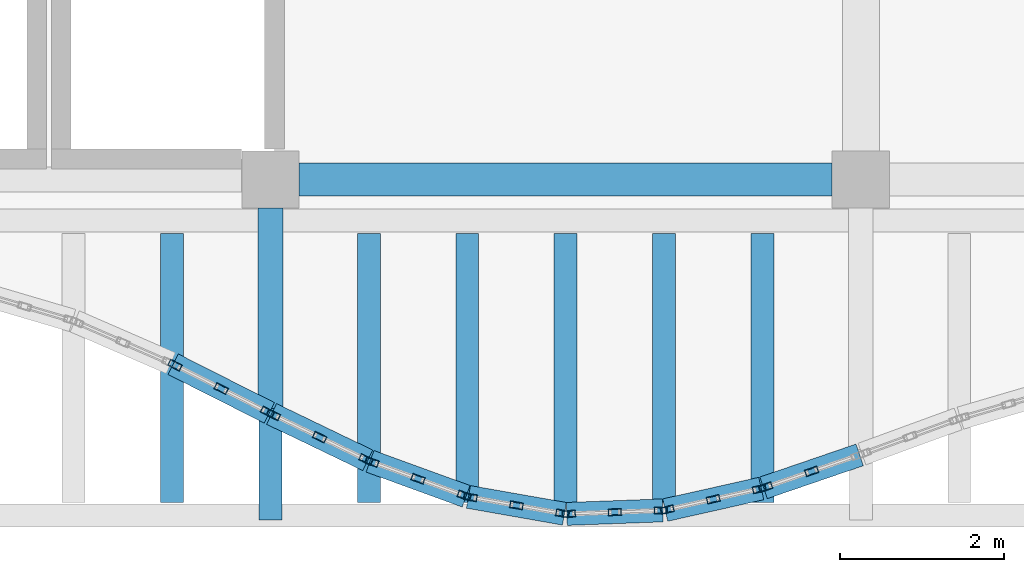
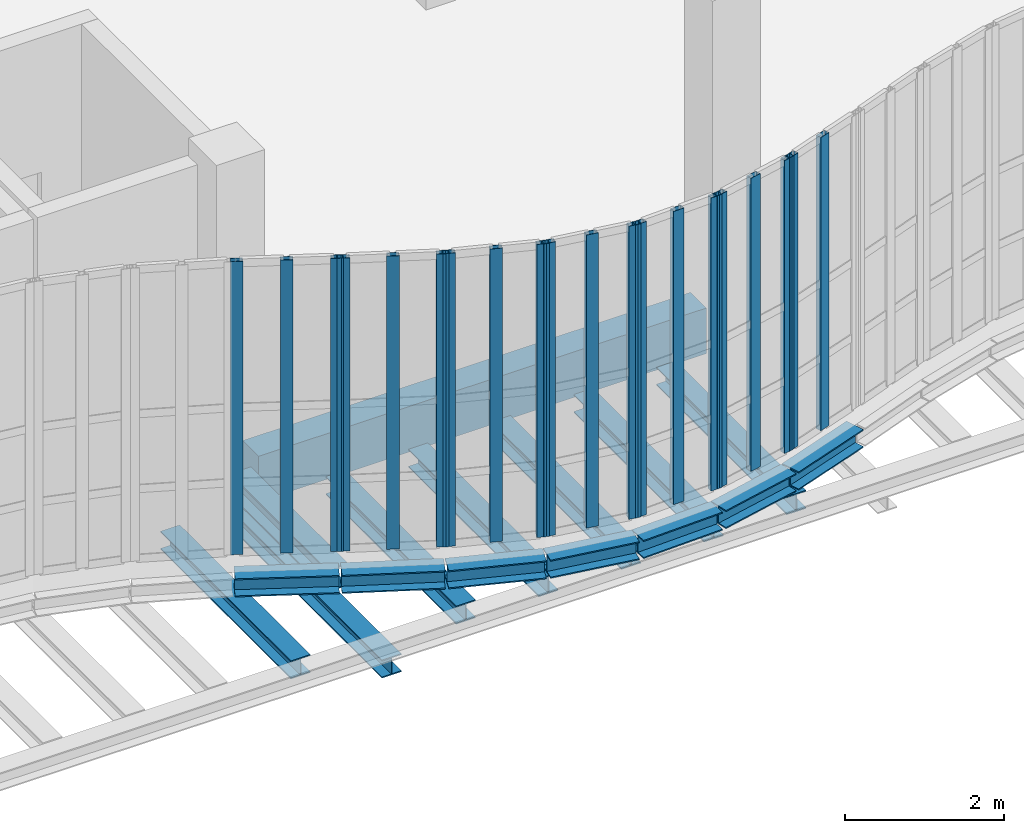
# One storey, part 27 of 108: 20 members, 16 beams, 7 elements without a shape of their own.
"""IFC4 building model written with IfcOpenShell, lengths in metres."""

from ifc_helpers import new_model, si_unit, direction, frame, origin, origin_2d, place, context, subcontext, project, spatial, rectangle, hollow_rectangle, i_section, extrude, material, layer, layer_set, material_profile, profile_set, type_object, element, aggregate, save


model = new_model("IFC4")

# Units and contexts
model_context = context("Model", 3, precision=1e-05, world=origin(), true_north=direction((0.0, 1.0)))
body_context = subcontext(model_context, "Body", "Model", "MODEL_VIEW")
ifc_project = project(units=[si_unit("LENGTHUNIT", "METRE"), si_unit("AREAUNIT", "SQUARE_METRE"), si_unit("VOLUMEUNIT", "CUBIC_METRE"), si_unit("PLANEANGLEUNIT", "RADIAN"), si_unit("MASSUNIT", "GRAM", prefix="KILO"), si_unit("THERMODYNAMICTEMPERATUREUNIT", "KELVIN"), si_unit("POWERUNIT", "WATT")], contexts=[model_context])

# Site, building, storey
site_placement = place(None, origin())
site = spatial("IfcSite", under=ifc_project, at=site_placement, CompositionType="ELEMENT")
building_placement = place(site_placement, origin())
building = spatial("IfcBuilding", under=site, at=building_placement, Name="Kaldorven Railside Theatre", CompositionType="ELEMENT")
storey_placement = place(building_placement, frame((0.0, 0.0, 5.39990234375)))
storey = spatial("IfcBuildingStorey", under=building, at=storey_placement, Name="L01", CompositionType="ELEMENT", Elevation=5.39990234375)

# Beams
ifc_material_1 = material(Name="Steel S355", Category="steel")
ifc_material_profile_1 = material_profile(ifc_material_1, i_section(OverallWidth=0.280029296875, OverallDepth=0.280029296875, WebThickness=0.010498046875, FlangeThickness=0.01806640625, at=origin_2d()), Name="HEB 280")
ifc_profile_set_1 = profile_set([ifc_material_profile_1], Name="Steel S355")
beam_type_1 = type_object("IfcBeamType", Name="BM-HEB280", PredefinedType="SPANDREL", material=ifc_profile_set_1)
beam_1_placement = place(storey_placement, frame((72.800048828125, 15.050048828125, -1.0), z_axis=(0.0, 1.0, 0.0), x_axis=(-1.0, 0.0, 0.0)))
element("IfcBeam", 1, at=beam_1_placement, inside=storey, type_object=beam_type_1, Name="L01 Sinusoidal Lower Cantilever Girder FOB-K005", PredefinedType="SPANDREL", context=body_context, shape_type="SweptSolid", body=[
    extrude(i_section(OverallWidth=0.280029296875, OverallDepth=0.280029296875, WebThickness=0.010498046875, FlangeThickness=0.01806640625, at=origin_2d()), origin(), (0.0, 0.0, 1.0), 3.800048828125),
])
beam_2_placement = place(storey_placement, frame((71.61328125, 16.947509765625, -0.43994140625), z_axis=(0.89233799867, -0.451367805819, 0.0), x_axis=(0.451367805819, 0.89233799867, 0.0)))
element("IfcBeam", 2, at=beam_2_placement, inside=storey, type_object=beam_type_1, Name="L01 Sinusoidal Flute Edge Spandrel FSB-030", PredefinedType="SPANDREL", context=body_context, shape_type="SweptSolid", body=[
    extrude(i_section(OverallWidth=0.280029296875, OverallDepth=0.280029296875, WebThickness=0.010498046875, FlangeThickness=0.01806640625, at=origin_2d()), origin(), (0.0, 0.0, 1.0), 1.31494140625),
])
beam_3_placement = place(storey_placement, frame((71.60009765625, 15.260009765625, -0.719970703125), z_axis=(0.0, 1.0, 0.0), x_axis=(-1.0, 0.0, 0.0)))
element("IfcBeam", 3, at=beam_3_placement, inside=storey, type_object=beam_type_1, Name="L01 Sinusoidal Diaphragm Rib Outrigger FOB-M030", PredefinedType="SPANDREL", context=body_context, shape_type="SweptSolid", body=[
    extrude(i_section(OverallWidth=0.280029296875, OverallDepth=0.280029296875, WebThickness=0.010498046875, FlangeThickness=0.01806640625, at=origin_2d()), origin(), (0.0, 0.0, 1.0), 3.280029296875),
])
beam_4_placement = place(storey_placement, frame((72.8134765625, 16.3408203125, -0.43994140625), z_axis=(0.900819751904, -0.434193245663, 0.0), x_axis=(0.434193245663, 0.900819751904, 0.0)))
element("IfcBeam", 4, at=beam_4_placement, inside=storey, type_object=beam_type_1, Name="L01 Sinusoidal Flute Edge Spandrel FSB-031", PredefinedType="SPANDREL", context=body_context, shape_type="SweptSolid", body=[
    extrude(i_section(OverallWidth=0.280029296875, OverallDepth=0.280029296875, WebThickness=0.010498046875, FlangeThickness=0.01806640625, at=origin_2d()), origin(), (0.0, 0.0, 1.0), 1.30224609375),
])
beam_5_placement = place(storey_placement, frame((74.01416015625, 15.763671875, -0.43994140625), z_axis=(0.939736236854, -0.341900285382, 0.0), x_axis=(0.341900285382, 0.939736236854, 0.0)))
element("IfcBeam", 5, at=beam_5_placement, inside=storey, type_object=beam_type_1, Name="L01 Sinusoidal Flute Edge Spandrel FSB-032", PredefinedType="SPANDREL", context=body_context, shape_type="SweptSolid", body=[
    extrude(i_section(OverallWidth=0.280029296875, OverallDepth=0.280029296875, WebThickness=0.010498046875, FlangeThickness=0.01806640625, at=origin_2d()), origin(), (0.0, 0.0, 1.0), 1.246826171875),
])
beam_6_placement = place(storey_placement, frame((74.0, 15.260009765625, -0.719970703125), z_axis=(0.0, 1.0, 0.0), x_axis=(-1.0, 0.0, 0.0)))
element("IfcBeam", 6, at=beam_6_placement, inside=storey, type_object=beam_type_1, Name="L01 Sinusoidal Diaphragm Rib Outrigger FOB-M032", PredefinedType="SPANDREL", context=body_context, shape_type="SweptSolid", body=[
    extrude(i_section(OverallWidth=0.280029296875, OverallDepth=0.280029296875, WebThickness=0.010498046875, FlangeThickness=0.01806640625, at=origin_2d()), origin(), (0.0, 0.0, 1.0), 3.280029296875),
])
beam_7_placement = place(storey_placement, frame((75.21484375, 15.32958984375, -0.43994140625), z_axis=(0.984888856029, -0.173187589827, 0.0), x_axis=(0.173187589827, 0.984888856029, 0.0)))
element("IfcBeam", 7, at=beam_7_placement, inside=storey, type_object=beam_type_1, Name="L01 Sinusoidal Flute Edge Spandrel FSB-033", PredefinedType="SPANDREL", context=body_context, shape_type="SweptSolid", body=[
    extrude(i_section(OverallWidth=0.280029296875, OverallDepth=0.280029296875, WebThickness=0.010498046875, FlangeThickness=0.01806640625, at=origin_2d()), origin(), (0.0, 0.0, 1.0), 1.1884765625),
])
beam_8_placement = place(storey_placement, frame((75.199951171875, 15.260009765625, -0.719970703125), z_axis=(0.0, 1.0, 0.0), x_axis=(-1.0, 0.0, 0.0)))
element("IfcBeam", 8, at=beam_8_placement, inside=storey, type_object=beam_type_1, Name="L01 Sinusoidal Diaphragm Rib Outrigger FOB-M033", PredefinedType="SPANDREL", context=body_context, shape_type="SweptSolid", body=[
    extrude(i_section(OverallWidth=0.280029296875, OverallDepth=0.280029296875, WebThickness=0.010498046875, FlangeThickness=0.01806640625, at=origin_2d()), origin(), (0.0, 0.0, 1.0), 3.280029296875),
])
beam_9_placement = place(storey_placement, frame((76.4150390625, 15.121826171875, -0.43994140625), z_axis=(0.999318542443, 0.036911390236, 0.0), x_axis=(-0.036911390236, 0.999318542443, 0.0)))
element("IfcBeam", 9, at=beam_9_placement, inside=storey, type_object=beam_type_1, Name="L01 Sinusoidal Flute Edge Spandrel FSB-034", PredefinedType="SPANDREL", context=body_context, shape_type="SweptSolid", body=[
    extrude(i_section(OverallWidth=0.280029296875, OverallDepth=0.280029296875, WebThickness=0.010498046875, FlangeThickness=0.01806640625, at=origin_2d()), origin(), (0.0, 0.0, 1.0), 1.170654296875),
])
beam_10_placement = place(storey_placement, frame((76.39990234375, 15.260009765625, -0.719970703125), z_axis=(0.0, 1.0, 0.0), x_axis=(-1.0, 0.0, 0.0)))
element("IfcBeam", 10, at=beam_10_placement, inside=storey, type_object=beam_type_1, Name="L01 Sinusoidal Diaphragm Rib Outrigger FOB-M034", PredefinedType="SPANDREL", context=body_context, shape_type="SweptSolid", body=[
    extrude(i_section(OverallWidth=0.280029296875, OverallDepth=0.280029296875, WebThickness=0.010498046875, FlangeThickness=0.01806640625, at=origin_2d()), origin(), (0.0, 0.0, 1.0), 3.280029296875),
])
beam_11_placement = place(storey_placement, frame((77.614501953125, 15.1689453125, -0.43994140625), z_axis=(0.975701165167, 0.219105536882, 0.0), x_axis=(-0.219105536882, 0.975701165167, 0.0)))
element("IfcBeam", 11, at=beam_11_placement, inside=storey, type_object=beam_type_1, Name="L01 Sinusoidal Flute Edge Spandrel FSB-035", PredefinedType="SPANDREL", context=body_context, shape_type="SweptSolid", body=[
    extrude(i_section(OverallWidth=0.280029296875, OverallDepth=0.280029296875, WebThickness=0.010498046875, FlangeThickness=0.01806640625, at=origin_2d()), origin(), (0.0, 0.0, 1.0), 1.199951171875),
])
beam_12_placement = place(storey_placement, frame((77.60009765625, 15.260009765625, -0.719970703125), z_axis=(0.0, 1.0, 0.0), x_axis=(-1.0, 0.0, 0.0)))
element("IfcBeam", 12, at=beam_12_placement, inside=storey, type_object=beam_type_1, Name="L01 Sinusoidal Diaphragm Rib Outrigger FOB-M035", PredefinedType="SPANDREL", context=body_context, shape_type="SweptSolid", body=[
    extrude(i_section(OverallWidth=0.280029296875, OverallDepth=0.280029296875, WebThickness=0.010498046875, FlangeThickness=0.01806640625, at=origin_2d()), origin(), (0.0, 0.0, 1.0), 3.280029296875),
])
beam_13_placement = place(storey_placement, frame((78.814208984375, 15.440185546875, -0.43994140625), z_axis=(0.946028856663, 0.324082400574, 0.0), x_axis=(-0.324082400574, 0.946028856663, 0.0)))
element("IfcBeam", 13, at=beam_13_placement, inside=storey, type_object=beam_type_1, Name="L01 Sinusoidal Flute Edge Spandrel FSB-036", PredefinedType="SPANDREL", context=body_context, shape_type="SweptSolid", body=[
    extrude(i_section(OverallWidth=0.280029296875, OverallDepth=0.280029296875, WebThickness=0.010498046875, FlangeThickness=0.01806640625, at=origin_2d()), origin(), (0.0, 0.0, 1.0), 1.238525390625),
])
beam_14_placement = place(storey_placement, frame((78.800048828125, 15.260009765625, -0.719970703125), z_axis=(0.0, 1.0, 0.0), x_axis=(-1.0, 0.0, 0.0)))
element("IfcBeam", 14, at=beam_14_placement, inside=storey, type_object=beam_type_1, Name="L01 Sinusoidal Diaphragm Rib Outrigger FOB-M036", PredefinedType="SPANDREL", context=body_context, shape_type="SweptSolid", body=[
    extrude(i_section(OverallWidth=0.280029296875, OverallDepth=0.280029296875, WebThickness=0.010498046875, FlangeThickness=0.01806640625, at=origin_2d()), origin(), (0.0, 0.0, 1.0), 3.280029296875),
])
ifc_material_profile_2 = material_profile(ifc_material_1, i_section(OverallWidth=0.300048828125, OverallDepth=0.340087890625, WebThickness=0.011962890625, FlangeThickness=0.021484375, at=origin_2d()), Name="HEB 340")
ifc_profile_set_2 = profile_set([ifc_material_profile_2], Name="Steel S355")
beam_type_2 = type_object("IfcBeamType", Name="BM-HEB340", PredefinedType="SPANDREL", material=ifc_profile_set_2)
beam_15_placement = place(storey_placement, frame((72.800048828125, 16.4072265625, -0.469970703125), z_axis=(0.0, 1.0, 0.0), x_axis=(-1.0, 0.0, 0.0)))
element("IfcBeam", 15, at=beam_15_placement, inside=storey, type_object=beam_type_2, Name="L01 Sinusoidal Veil Outrigger FOB-1072", PredefinedType="SPANDREL", context=body_context, shape_type="SweptSolid", body=[
    extrude(i_section(OverallWidth=0.300048828125, OverallDepth=0.340087890625, WebThickness=0.011962890625, FlangeThickness=0.021484375, at=origin_2d()), origin(), (0.0, 0.0, 1.0), 2.44287109375),
])
ifc_material_2 = material(Name="Concrete C40/50", Category="concrete")
ifc_material_profile_3 = material_profile(ifc_material_2, rectangle(XDim=0.39990234375, YDim=0.699951171875, at=origin_2d()), Name="RC 400x700")
ifc_profile_set_3 = profile_set([ifc_material_profile_3], Name="Concrete C40/50")
beam_type_3 = type_object("IfcBeamType", Name="BM-RC400x700", PredefinedType="BEAM", material=ifc_profile_set_3)
beam_16_placement = place(storey_placement, frame((73.14990234375, 19.199951171875, -0.64990234375), z_axis=(1.0, 0.0, 0.0), x_axis=(0.0, 1.0, 0.0)))
element("IfcBeam", 16, at=beam_16_placement, inside=storey, type_object=beam_type_3, Name="L01 Girder BGX-L01-072-019", PredefinedType="BEAM", context=body_context, shape_type="SweptSolid", body=[
    extrude(rectangle(XDim=0.39990234375, YDim=0.699951171875, at=origin_2d()), origin(), (0.0, 0.0, 1.0), 6.5),
])

# Curtain wall, members
ifc_material_3 = material(Name="Low-E laminated solar-control glass", Category="glass")
ifc_layer_1 = layer(ifc_material_3, 0.159912109375, Name="Low-E laminated solar-control glass")
ifc_layer_set_1 = layer_set([ifc_layer_1], Name="Low-E laminated solar-control glass")
curtain_wall_type_1 = type_object("IfcCurtainWallType", Name="CWT-06", PredefinedType="USERDEFINED", material=ifc_layer_set_1)
curtain_wall_1_placement = place(storey_placement, origin())
curtain_wall_1 = element("IfcCurtainWall", 17, at=curtain_wall_1_placement, inside=storey, type_object=curtain_wall_type_1, Name="Sinusoidal Fluted Curtain Wall CW-L01-S30", ObjectType="FLUTED GLAZING", PredefinedType="USERDEFINED")
ifc_material_4 = material(Name="Anodised bronze aluminium", Category="aluminium")
ifc_material_profile_4 = material_profile(ifc_material_4, hollow_rectangle(XDim=0.080078125, YDim=0.159912109375, WallThickness=0.00634765625, at=origin_2d()), Name="RHS 160x80x6.3")
ifc_profile_set_4 = profile_set([ifc_material_profile_4], Name="Anodised bronze aluminium")
member_type = type_object("IfcMemberType", Name="CWM-160", PredefinedType="MULLION", material=ifc_profile_set_4)
member_1_placement = place(storey_placement, frame((71.6357421875, 16.936279296875, 0.0), z_axis=(0.0, 0.0, 1.0), x_axis=(0.451432188451, 0.89230542934, 0.0)))
member_1 = element("IfcMember", 18, at=member_1_placement, type_object=member_type, Name="CW-L01-S30 mullion 1", PredefinedType="MULLION", context=body_context, shape_type="SweptSolid", body=[
    extrude(hollow_rectangle(XDim=0.080078125, YDim=0.159912109375, WallThickness=0.00634765625, at=origin_2d()), origin(), (0.0, 0.0, 1.0), 4.5),
])
member_2_placement = place(storey_placement, frame((72.199951171875, 16.65087890625, 0.0), z_axis=(0.0, 0.0, 1.0), x_axis=(0.451432188451, 0.89230542934, 0.0)))
member_2 = element("IfcMember", 19, at=member_2_placement, type_object=member_type, Name="CW-L01-S30 mullion 2", PredefinedType="MULLION", context=body_context, shape_type="SweptSolid", body=[
    extrude(hollow_rectangle(XDim=0.080078125, YDim=0.159912109375, WallThickness=0.00634765625, at=origin_2d()), origin(), (0.0, 0.0, 1.0), 4.5),
])
member_3_placement = place(storey_placement, frame((72.764404296875, 16.365478515625, 0.0), z_axis=(0.0, 0.0, 1.0), x_axis=(0.451432188451, 0.89230542934, 0.0)))
member_3 = element("IfcMember", 20, at=member_3_placement, type_object=member_type, Name="CW-L01-S30 mullion 3", PredefinedType="MULLION", context=body_context, shape_type="SweptSolid", body=[
    extrude(hollow_rectangle(XDim=0.080078125, YDim=0.159912109375, WallThickness=0.00634765625, at=origin_2d()), origin(), (0.0, 0.0, 1.0), 4.5),
])
aggregate(curtain_wall_1, [member_1, member_2, member_3])

curtain_wall_2_placement = place(storey_placement, origin())
curtain_wall_2 = element("IfcCurtainWall", 21, at=curtain_wall_2_placement, inside=storey, type_object=curtain_wall_type_1, Name="Sinusoidal Fluted Curtain Wall CW-L01-S31", ObjectType="FLUTED GLAZING", PredefinedType="USERDEFINED")
member_4_placement = place(storey_placement, frame((72.8359375, 16.329833984375, 0.0), z_axis=(0.0, 0.0, 1.0), x_axis=(0.434255680006, 0.900789656015, 0.0)))
member_4 = element("IfcMember", 22, at=member_4_placement, type_object=member_type, Name="CW-L01-S31 mullion 1", PredefinedType="MULLION", context=body_context, shape_type="SweptSolid", body=[
    extrude(hollow_rectangle(XDim=0.080078125, YDim=0.159912109375, WallThickness=0.00634765625, at=origin_2d()), origin(), (0.0, 0.0, 1.0), 4.5),
])
member_5_placement = place(storey_placement, frame((73.39990234375, 16.05810546875, 0.0), z_axis=(0.0, 0.0, 1.0), x_axis=(0.434255680006, 0.900789656015, 0.0)))
member_5 = element("IfcMember", 23, at=member_5_placement, type_object=member_type, Name="CW-L01-S31 mullion 2", PredefinedType="MULLION", context=body_context, shape_type="SweptSolid", body=[
    extrude(hollow_rectangle(XDim=0.080078125, YDim=0.159912109375, WallThickness=0.00634765625, at=origin_2d()), origin(), (0.0, 0.0, 1.0), 4.5),
])
member_6_placement = place(storey_placement, frame((73.9638671875, 15.7861328125, 0.0), z_axis=(0.0, 0.0, 1.0), x_axis=(0.434255680006, 0.900789656015, 0.0)))
member_6 = element("IfcMember", 24, at=member_6_placement, type_object=member_type, Name="CW-L01-S31 mullion 3", PredefinedType="MULLION", context=body_context, shape_type="SweptSolid", body=[
    extrude(hollow_rectangle(XDim=0.080078125, YDim=0.159912109375, WallThickness=0.00634765625, at=origin_2d()), origin(), (0.0, 0.0, 1.0), 4.5),
])
aggregate(curtain_wall_2, [member_4, member_5, member_6])

ifc_layer_2 = layer(ifc_material_3, 0.159912109375, Name="Low-E laminated solar-control glass")
ifc_layer_set_2 = layer_set([ifc_layer_2], Name="Low-E laminated solar-control glass")
curtain_wall_type_2 = type_object("IfcCurtainWallType", Name="CWT-01", PredefinedType="USERDEFINED", material=ifc_layer_set_2)
curtain_wall_3_placement = place(storey_placement, origin())
curtain_wall_3 = element("IfcCurtainWall", 25, at=curtain_wall_3_placement, inside=storey, type_object=curtain_wall_type_2, Name="Sinusoidal Fluted Curtain Wall CW-L01-S32", ObjectType="FLUTED GLAZING", PredefinedType="USERDEFINED")
member_7_placement = place(storey_placement, frame((74.03759765625, 15.755126953125, 0.0), z_axis=(0.0, 0.0, 1.0), x_axis=(0.341837380258, 0.939759120976, 0.0)))
member_7 = element("IfcMember", 26, at=member_7_placement, type_object=member_type, Name="CW-L01-S32 mullion 1", PredefinedType="MULLION", context=body_context, shape_type="SweptSolid", body=[
    extrude(hollow_rectangle(XDim=0.080078125, YDim=0.159912109375, WallThickness=0.00634765625, at=origin_2d()), origin(), (0.0, 0.0, 1.0), 4.5),
])
member_8_placement = place(storey_placement, frame((74.60009765625, 15.550537109375, 0.0), z_axis=(0.0, 0.0, 1.0), x_axis=(0.341837380258, 0.939759120976, 0.0)))
member_8 = element("IfcMember", 27, at=member_8_placement, type_object=member_type, Name="CW-L01-S32 mullion 2", PredefinedType="MULLION", context=body_context, shape_type="SweptSolid", body=[
    extrude(hollow_rectangle(XDim=0.080078125, YDim=0.159912109375, WallThickness=0.00634765625, at=origin_2d()), origin(), (0.0, 0.0, 1.0), 4.5),
])
member_9_placement = place(storey_placement, frame((75.162353515625, 15.345947265625, 0.0), z_axis=(0.0, 0.0, 1.0), x_axis=(0.341837380258, 0.939759120976, 0.0)))
member_9 = element("IfcMember", 28, at=member_9_placement, type_object=member_type, Name="CW-L01-S32 mullion 3", PredefinedType="MULLION", context=body_context, shape_type="SweptSolid", body=[
    extrude(hollow_rectangle(XDim=0.080078125, YDim=0.159912109375, WallThickness=0.00634765625, at=origin_2d()), origin(), (0.0, 0.0, 1.0), 4.5),
])
aggregate(curtain_wall_3, [member_7, member_8, member_9])

ifc_layer_3 = layer(ifc_material_3, 0.159912109375, Name="Low-E laminated solar-control glass")
ifc_layer_set_3 = layer_set([ifc_layer_3], Name="Low-E laminated solar-control glass")
curtain_wall_type_3 = type_object("IfcCurtainWallType", Name="CWT-07", PredefinedType="USERDEFINED", material=ifc_layer_set_3)
curtain_wall_4_placement = place(storey_placement, origin())
curtain_wall_4 = element("IfcCurtainWall", 29, at=curtain_wall_4_placement, inside=storey, type_object=curtain_wall_type_3, Name="Sinusoidal Fluted Curtain Wall CW-L01-S33", ObjectType="FLUTED GLAZING", PredefinedType="USERDEFINED")
member_10_placement = place(storey_placement, frame((75.239501953125, 15.325439453125, 0.0), z_axis=(0.0, 0.0, 1.0), x_axis=(0.173256240507, 0.984876781697, 0.0)))
member_10 = element("IfcMember", 30, at=member_10_placement, type_object=member_type, Name="CW-L01-S33 mullion 1", PredefinedType="MULLION", context=body_context, shape_type="SweptSolid", body=[
    extrude(hollow_rectangle(XDim=0.080078125, YDim=0.159912109375, WallThickness=0.00634765625, at=origin_2d()), origin(), (0.0, 0.0, 1.0), 4.5),
])
member_11_placement = place(storey_placement, frame((75.800048828125, 15.226806640625, 0.0), z_axis=(0.0, 0.0, 1.0), x_axis=(0.173256240507, 0.984876781697, 0.0)))
member_11 = element("IfcMember", 31, at=member_11_placement, type_object=member_type, Name="CW-L01-S33 mullion 2", PredefinedType="MULLION", context=body_context, shape_type="SweptSolid", body=[
    extrude(hollow_rectangle(XDim=0.080078125, YDim=0.159912109375, WallThickness=0.00634765625, at=origin_2d()), origin(), (0.0, 0.0, 1.0), 4.5),
])
member_12_placement = place(storey_placement, frame((76.360595703125, 15.128173828125, 0.0), z_axis=(0.0, 0.0, 1.0), x_axis=(0.173256240507, 0.984876781697, 0.0)))
member_12 = element("IfcMember", 32, at=member_12_placement, type_object=member_type, Name="CW-L01-S33 mullion 3", PredefinedType="MULLION", context=body_context, shape_type="SweptSolid", body=[
    extrude(hollow_rectangle(XDim=0.080078125, YDim=0.159912109375, WallThickness=0.00634765625, at=origin_2d()), origin(), (0.0, 0.0, 1.0), 4.5),
])
aggregate(curtain_wall_4, [member_10, member_11, member_12])

ifc_layer_4 = layer(ifc_material_3, 0.159912109375, Name="Low-E laminated solar-control glass")
ifc_layer_set_4 = layer_set([ifc_layer_4], Name="Low-E laminated solar-control glass")
curtain_wall_type_4 = type_object("IfcCurtainWallType", Name="CWT-03", PredefinedType="USERDEFINED", material=ifc_layer_set_4)
curtain_wall_5_placement = place(storey_placement, origin())
curtain_wall_5 = element("IfcCurtainWall", 33, at=curtain_wall_5_placement, inside=storey, type_object=curtain_wall_type_4, Name="Sinusoidal Fluted Curtain Wall CW-L01-S34", ObjectType="FLUTED GLAZING", PredefinedType="USERDEFINED")
member_13_placement = place(storey_placement, frame((76.43994140625, 15.122802734375, 0.0), z_axis=(0.0, 0.0, 1.0), x_axis=(-0.037057861594, 0.999313121546, 0.0)))
member_13 = element("IfcMember", 34, at=member_13_placement, type_object=member_type, Name="CW-L01-S34 mullion 1", PredefinedType="MULLION", context=body_context, shape_type="SweptSolid", body=[
    extrude(hollow_rectangle(XDim=0.080078125, YDim=0.159912109375, WallThickness=0.00634765625, at=origin_2d()), origin(), (0.0, 0.0, 1.0), 4.5),
])
member_14_placement = place(storey_placement, frame((77.0, 15.1435546875, 0.0), z_axis=(0.0, 0.0, 1.0), x_axis=(-0.037057861594, 0.999313121546, 0.0)))
member_14 = element("IfcMember", 35, at=member_14_placement, type_object=member_type, Name="CW-L01-S34 mullion 2", PredefinedType="MULLION", context=body_context, shape_type="SweptSolid", body=[
    extrude(hollow_rectangle(XDim=0.080078125, YDim=0.159912109375, WallThickness=0.00634765625, at=origin_2d()), origin(), (0.0, 0.0, 1.0), 4.5),
])
member_15_placement = place(storey_placement, frame((77.56005859375, 15.164306640625, 0.0), z_axis=(0.0, 0.0, 1.0), x_axis=(-0.037057861594, 0.999313121546, 0.0)))
member_15 = element("IfcMember", 36, at=member_15_placement, type_object=member_type, Name="CW-L01-S34 mullion 3", PredefinedType="MULLION", context=body_context, shape_type="SweptSolid", body=[
    extrude(hollow_rectangle(XDim=0.080078125, YDim=0.159912109375, WallThickness=0.00634765625, at=origin_2d()), origin(), (0.0, 0.0, 1.0), 4.5),
])
aggregate(curtain_wall_5, [member_13, member_14, member_15])

ifc_layer_5 = layer(ifc_material_3, 0.159912109375, Name="Low-E laminated solar-control glass")
ifc_layer_set_5 = layer_set([ifc_layer_5], Name="Low-E laminated solar-control glass")
curtain_wall_type_5 = type_object("IfcCurtainWallType", Name="CWT-02", PredefinedType="USERDEFINED", material=ifc_layer_set_5)
curtain_wall_6_placement = place(storey_placement, origin())
curtain_wall_6 = element("IfcCurtainWall", 37, at=curtain_wall_6_placement, inside=storey, type_object=curtain_wall_type_5, Name="Sinusoidal Fluted Curtain Wall CW-L01-S35", ObjectType="FLUTED GLAZING", PredefinedType="USERDEFINED")
member_16_placement = place(storey_placement, frame((77.638916015625, 15.174560546875, 0.0), z_axis=(0.0, 0.0, 1.0), x_axis=(-0.219202628857, 0.975679356911, 0.0)))
member_16 = element("IfcMember", 38, at=member_16_placement, type_object=member_type, Name="CW-L01-S35 mullion 1", PredefinedType="MULLION", context=body_context, shape_type="SweptSolid", body=[
    extrude(hollow_rectangle(XDim=0.080078125, YDim=0.159912109375, WallThickness=0.00634765625, at=origin_2d()), origin(), (0.0, 0.0, 1.0), 4.5),
])
member_17_placement = place(storey_placement, frame((78.199951171875, 15.300537109375, 0.0), z_axis=(0.0, 0.0, 1.0), x_axis=(-0.219202628857, 0.975679356911, 0.0)))
member_17 = element("IfcMember", 39, at=member_17_placement, type_object=member_type, Name="CW-L01-S35 mullion 2", PredefinedType="MULLION", context=body_context, shape_type="SweptSolid", body=[
    extrude(hollow_rectangle(XDim=0.080078125, YDim=0.159912109375, WallThickness=0.00634765625, at=origin_2d()), origin(), (0.0, 0.0, 1.0), 4.5),
])
member_18_placement = place(storey_placement, frame((78.760986328125, 15.426513671875, 0.0), z_axis=(0.0, 0.0, 1.0), x_axis=(-0.219202628857, 0.975679356911, 0.0)))
member_18 = element("IfcMember", 40, at=member_18_placement, type_object=member_type, Name="CW-L01-S35 mullion 3", PredefinedType="MULLION", context=body_context, shape_type="SweptSolid", body=[
    extrude(hollow_rectangle(XDim=0.080078125, YDim=0.159912109375, WallThickness=0.00634765625, at=origin_2d()), origin(), (0.0, 0.0, 1.0), 4.5),
])
aggregate(curtain_wall_6, [member_16, member_17, member_18])

ifc_layer_6 = layer(ifc_material_3, 0.159912109375, Name="Low-E laminated solar-control glass")
ifc_layer_set_6 = layer_set([ifc_layer_6], Name="Low-E laminated solar-control glass")
curtain_wall_type_6 = type_object("IfcCurtainWallType", Name="CWT-04", PredefinedType="USERDEFINED", material=ifc_layer_set_6)
curtain_wall_7_placement = place(storey_placement, origin())
curtain_wall_7 = element("IfcCurtainWall", 41, at=curtain_wall_7_placement, inside=storey, type_object=curtain_wall_type_6, Name="Sinusoidal Fluted Curtain Wall CW-L01-S36", ObjectType="FLUTED GLAZING", PredefinedType="USERDEFINED")
member_19_placement = place(storey_placement, frame((78.837890625, 15.4482421875, 0.0), z_axis=(0.0, 0.0, 1.0), x_axis=(-0.324092530311, 0.946025386444, 0.0)))
member_19 = element("IfcMember", 42, at=member_19_placement, type_object=member_type, Name="CW-L01-S36 mullion 1", PredefinedType="MULLION", context=body_context, shape_type="SweptSolid", body=[
    extrude(hollow_rectangle(XDim=0.080078125, YDim=0.159912109375, WallThickness=0.00634765625, at=origin_2d()), origin(), (0.0, 0.0, 1.0), 4.5),
])
member_20_placement = place(storey_placement, frame((79.39990234375, 15.640869140625, 0.0), z_axis=(0.0, 0.0, 1.0), x_axis=(-0.324092530311, 0.946025386444, 0.0)))
member_20 = element("IfcMember", 43, at=member_20_placement, type_object=member_type, Name="CW-L01-S36 mullion 2", PredefinedType="MULLION", context=body_context, shape_type="SweptSolid", body=[
    extrude(hollow_rectangle(XDim=0.080078125, YDim=0.159912109375, WallThickness=0.00634765625, at=origin_2d()), origin(), (0.0, 0.0, 1.0), 4.5),
])
aggregate(curtain_wall_7, [member_19, member_20])

save(model, "model.ifc")
